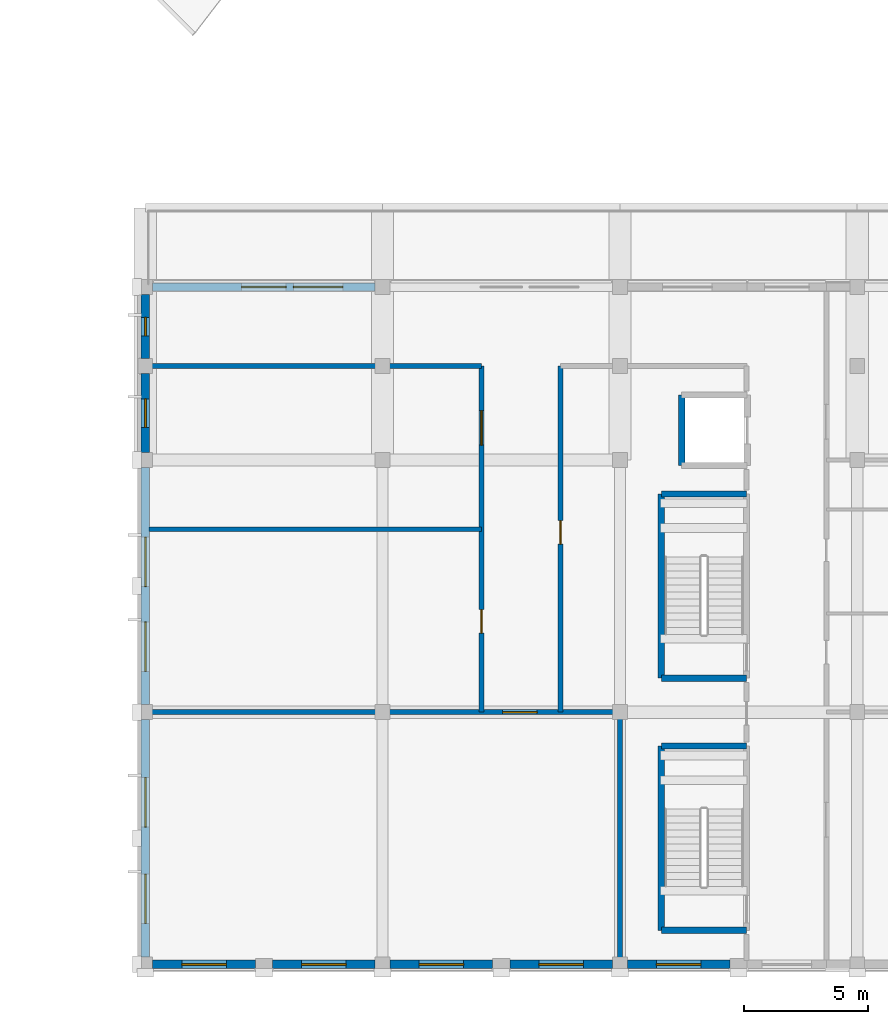
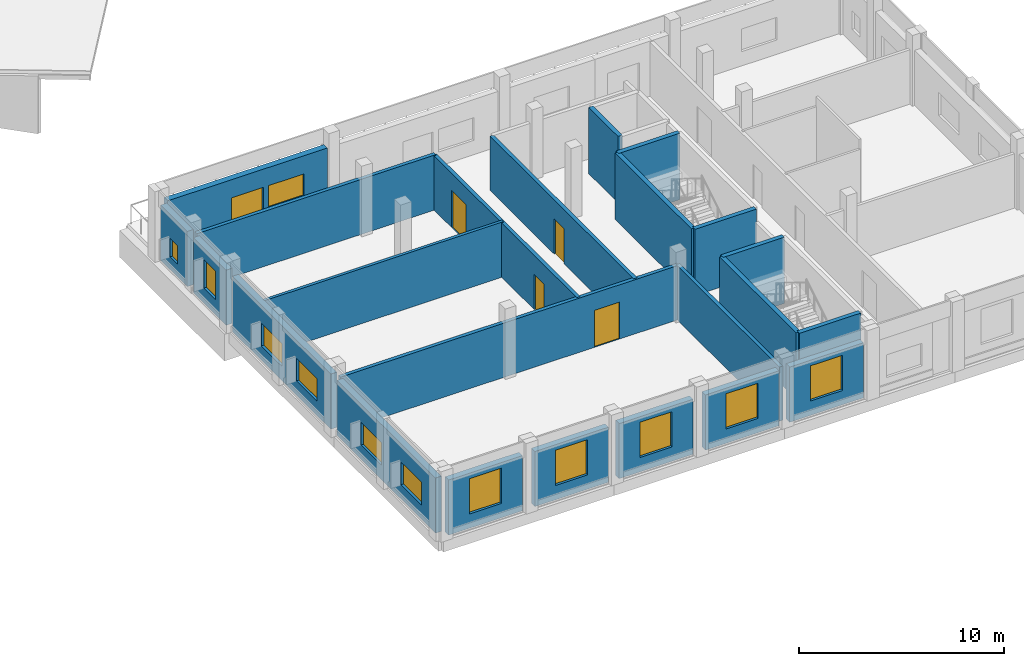
# One storey, part 184 of 200: 23 walls, 12 windows, 5 doors, 17 openings.
"""IFC4 building model written with IfcOpenShell, lengths in metres."""

from ifc_helpers import new_model, si_unit, direction, frame, frame_2d, origin, place, context, subcontext, project, spatial, rectangle, extrude, material, layer, layer_set, type_object, element, fill, save


model = new_model("IFC4")

# Units and contexts
model_context = context("Model", 3, precision=1e-05, world=origin(), true_north=direction((0.0, 1.0)))
body_context = subcontext(model_context, "Body", "Model", "MODEL_VIEW")
ifc_project = project(units=[si_unit("LENGTHUNIT", "METRE"), si_unit("AREAUNIT", "SQUARE_METRE"), si_unit("VOLUMEUNIT", "CUBIC_METRE"), si_unit("PLANEANGLEUNIT", "RADIAN"), si_unit("MASSUNIT", "GRAM", prefix="KILO")], contexts=[model_context])

# Site, building, storey
site_placement = place(None, origin())
site = spatial("IfcSite", under=ifc_project, at=site_placement, CompositionType="ELEMENT")
building_placement = place(site_placement, origin())
building = spatial("IfcBuilding", under=site, at=building_placement, Name="Vondelvale Polytechnic", CompositionType="ELEMENT")
storey_placement = place(building_placement, frame((0.0, 0.0, 13.800048828125)))
storey = spatial("IfcBuildingStorey", under=building, at=storey_placement, Name="L03", CompositionType="ELEMENT", Elevation=13.800048828125)

# Wall, opening, window
ifc_material_1 = material(Name="Amsterdam School iron-spot clinker clay brickwork", Category="masonry")
ifc_layer_1 = layer(ifc_material_1, 0.340087890625)
ifc_layer_set_1 = layer_set([ifc_layer_1], Name="WL-BRICK-340")
wall_type_1 = type_object("IfcWallType", Name="WL-BRICK-340", PredefinedType="SOLIDWALL", material=ifc_layer_set_1)
wall_1_placement = place(storey_placement, frame((138.84912109375, 0.0, 0.0), z_axis=(0.0, 0.0, 1.0), x_axis=(-1.0, 0.0, 0.0)))
wall_1 = element("IfcWall", 1, at=wall_1_placement, inside=storey, type_object=wall_type_1, Name="L03 exterior masonry facade wall", PredefinedType="SOLIDWALL", context=body_context, shape_type="SweptSolid", body=[
    extrude(rectangle(XDim=4.148193359375, YDim=0.340087890625, at=frame_2d((2.07421875, 0.0))), origin(), (0.0, 0.0, 1.0), 3.280029296875),
])
opening_1_placement = place(wall_1_placement, frame((1.174072265625, 0.0, 0.85009765625)))
opening_1 = element("IfcOpeningElement", 2, at=opening_1_placement, cuts=wall_1, Name="Opening WN-0392", PredefinedType="OPENING", context=body_context, shape_type="SweptSolid", body=[
    extrude(rectangle(XDim=1.800048828125, YDim=2.10009765625, at=frame_2d((0.89990234375, 1.050048828125))), frame((0.0, 0.179931640625, 0.0), z_axis=(0.0, -1.0, 0.0), x_axis=(1.0, 0.0, 0.0)), (0.0, 0.0, 1.0), 0.360107421875),
])
ifc_material_2 = material(Name="Double-glazed low-E insulated architectural glass", Category="glass")
window_type_1 = type_object("IfcWindowType", Name="WN-LAB-1800x2100", PartitioningType="SINGLE_PANEL", PredefinedType="WINDOW", material=ifc_material_2)
window_1_placement = place(opening_1_placement, origin())
window_1 = element("IfcWindow", 3, at=window_1_placement, inside=storey, type_object=window_type_1, Name="L03 double-glazed architectural window WN-0392", OverallHeight=2.10009765625, OverallWidth=1.800048828125, PartitioningType="SINGLE_PANEL", PredefinedType="WINDOW", context=body_context, shape_type="SweptSolid", body=[
    extrude(rectangle(XDim=1.800048828125, YDim=2.10009765625, at=frame_2d((0.89990234375, 1.050048828125))), frame((0.0, 0.030029296875, 0.0), z_axis=(0.0, -1.0, 0.0), x_axis=(1.0, 0.0, 0.0)), (0.0, 0.0, 1.0), 0.06005859375),
])
fill(opening_1, window_1)

wall_2_placement = place(storey_placement, frame((143.698974609375, 0.0, 0.0), z_axis=(0.0, 0.0, 1.0), x_axis=(-1.0, 0.0, 0.0)))
wall_2 = element("IfcWall", 4, at=wall_2_placement, inside=storey, type_object=wall_type_1, Name="L03 exterior masonry facade wall", PredefinedType="SOLIDWALL", context=body_context, shape_type="SweptSolid", body=[
    extrude(rectangle(XDim=4.14794921875, YDim=0.340087890625, at=frame_2d((2.073974609375, 0.0))), origin(), (0.0, 0.0, 1.0), 3.280029296875),
])
opening_2_placement = place(wall_2_placement, frame((1.174072265625, 0.0, 0.85009765625)))
opening_2 = element("IfcOpeningElement", 5, at=opening_2_placement, cuts=wall_2, Name="Opening WN-0393", PredefinedType="OPENING", context=body_context, shape_type="SweptSolid", body=[
    extrude(rectangle(XDim=1.800048828125, YDim=2.10009765625, at=frame_2d((0.89990234375, 1.050048828125))), frame((0.0, 0.179931640625, 0.0), z_axis=(0.0, -1.0, 0.0), x_axis=(1.0, 0.0, 0.0)), (0.0, 0.0, 1.0), 0.360107421875),
])
window_2_placement = place(opening_2_placement, origin())
window_2 = element("IfcWindow", 6, at=window_2_placement, inside=storey, type_object=window_type_1, Name="L03 double-glazed architectural window WN-0393", OverallHeight=2.10009765625, OverallWidth=1.800048828125, PartitioningType="SINGLE_PANEL", PredefinedType="WINDOW", context=body_context, shape_type="SweptSolid", body=[
    extrude(rectangle(XDim=1.800048828125, YDim=2.10009765625, at=frame_2d((0.89990234375, 1.050048828125))), frame((0.0, 0.030029296875, 0.0), z_axis=(0.0, -1.0, 0.0), x_axis=(1.0, 0.0, 0.0)), (0.0, 0.0, 1.0), 0.06005859375),
])
fill(opening_2, window_2)

wall_3_placement = place(storey_placement, frame((148.448974609375, 0.0, 0.0), z_axis=(0.0, 0.0, 1.0), x_axis=(-1.0, 0.0, 0.0)))
wall_3 = element("IfcWall", 7, at=wall_3_placement, inside=storey, type_object=wall_type_1, Name="L03 exterior masonry facade wall", PredefinedType="SOLIDWALL", context=body_context, shape_type="SweptSolid", body=[
    extrude(rectangle(XDim=4.14794921875, YDim=0.340087890625, at=frame_2d((2.073974609375, 0.0))), origin(), (0.0, 0.0, 1.0), 3.280029296875),
])
opening_3_placement = place(wall_3_placement, frame((1.174072265625, 0.0, 0.85009765625)))
opening_3 = element("IfcOpeningElement", 8, at=opening_3_placement, cuts=wall_3, Name="Opening WN-0394", PredefinedType="OPENING", context=body_context, shape_type="SweptSolid", body=[
    extrude(rectangle(XDim=1.800048828125, YDim=2.10009765625, at=frame_2d((0.89990234375, 1.050048828125))), frame((0.0, 0.179931640625, 0.0), z_axis=(0.0, -1.0, 0.0), x_axis=(1.0, 0.0, 0.0)), (0.0, 0.0, 1.0), 0.360107421875),
])
window_3_placement = place(opening_3_placement, origin())
window_3 = element("IfcWindow", 9, at=window_3_placement, inside=storey, type_object=window_type_1, Name="L03 double-glazed architectural window WN-0394", OverallHeight=2.10009765625, OverallWidth=1.800048828125, PartitioningType="SINGLE_PANEL", PredefinedType="WINDOW", context=body_context, shape_type="SweptSolid", body=[
    extrude(rectangle(XDim=1.800048828125, YDim=2.10009765625, at=frame_2d((0.89990234375, 1.050048828125))), frame((0.0, 0.030029296875, 0.0), z_axis=(0.0, -1.0, 0.0), x_axis=(1.0, 0.0, 0.0)), (0.0, 0.0, 1.0), 0.06005859375),
])
fill(opening_3, window_3)

wall_4_placement = place(storey_placement, frame((153.299072265625, 0.0, 0.0), z_axis=(0.0, 0.0, 1.0), x_axis=(-1.0, 0.0, 0.0)))
wall_4 = element("IfcWall", 10, at=wall_4_placement, inside=storey, type_object=wall_type_1, Name="L03 exterior masonry facade wall", PredefinedType="SOLIDWALL", context=body_context, shape_type="SweptSolid", body=[
    extrude(rectangle(XDim=4.148193359375, YDim=0.340087890625, at=frame_2d((2.07421875, 0.0))), origin(), (0.0, 0.0, 1.0), 3.280029296875),
])
opening_4_placement = place(wall_4_placement, frame((1.174072265625, 0.0, 0.85009765625)))
opening_4 = element("IfcOpeningElement", 11, at=opening_4_placement, cuts=wall_4, Name="Opening WN-0395", PredefinedType="OPENING", context=body_context, shape_type="SweptSolid", body=[
    extrude(rectangle(XDim=1.800048828125, YDim=2.10009765625, at=frame_2d((0.89990234375, 1.050048828125))), frame((0.0, 0.179931640625, 0.0), z_axis=(0.0, -1.0, 0.0), x_axis=(1.0, 0.0, 0.0)), (0.0, 0.0, 1.0), 0.360107421875),
])
window_4_placement = place(opening_4_placement, origin())
window_4 = element("IfcWindow", 12, at=window_4_placement, inside=storey, type_object=window_type_1, Name="L03 double-glazed architectural window WN-0395", OverallHeight=2.10009765625, OverallWidth=1.800048828125, PartitioningType="SINGLE_PANEL", PredefinedType="WINDOW", context=body_context, shape_type="SweptSolid", body=[
    extrude(rectangle(XDim=1.800048828125, YDim=2.10009765625, at=frame_2d((0.89990234375, 1.050048828125))), frame((0.0, 0.030029296875, 0.0), z_axis=(0.0, -1.0, 0.0), x_axis=(1.0, 0.0, 0.0)), (0.0, 0.0, 1.0), 0.06005859375),
])
fill(opening_4, window_4)

wall_5_placement = place(storey_placement, frame((158.049072265625, 0.0, 0.0), z_axis=(0.0, 0.0, 1.0), x_axis=(-1.0, 0.0, 0.0)))
wall_5 = element("IfcWall", 13, at=wall_5_placement, inside=storey, type_object=wall_type_1, Name="L03 exterior masonry facade wall", PredefinedType="SOLIDWALL", context=body_context, shape_type="SweptSolid", body=[
    extrude(rectangle(XDim=4.148193359375, YDim=0.340087890625, at=frame_2d((2.07421875, 0.0))), origin(), (0.0, 0.0, 1.0), 3.280029296875),
])
opening_5_placement = place(wall_5_placement, frame((1.174072265625, 0.0, 0.85009765625)))
opening_5 = element("IfcOpeningElement", 14, at=opening_5_placement, cuts=wall_5, Name="Opening WN-0396", PredefinedType="OPENING", context=body_context, shape_type="SweptSolid", body=[
    extrude(rectangle(XDim=1.800048828125, YDim=2.10009765625, at=frame_2d((0.89990234375, 1.050048828125))), frame((0.0, 0.179931640625, 0.0), z_axis=(0.0, -1.0, 0.0), x_axis=(1.0, 0.0, 0.0)), (0.0, 0.0, 1.0), 0.360107421875),
])
window_5_placement = place(opening_5_placement, origin())
window_5 = element("IfcWindow", 15, at=window_5_placement, inside=storey, type_object=window_type_1, Name="L03 double-glazed architectural window WN-0396", OverallHeight=2.10009765625, OverallWidth=1.800048828125, PartitioningType="SINGLE_PANEL", PredefinedType="WINDOW", context=body_context, shape_type="SweptSolid", body=[
    extrude(rectangle(XDim=1.800048828125, YDim=2.10009765625, at=frame_2d((0.89990234375, 1.050048828125))), frame((0.0, 0.030029296875, 0.0), z_axis=(0.0, -1.0, 0.0), x_axis=(1.0, 0.0, 0.0)), (0.0, 0.0, 1.0), 0.06005859375),
])
fill(opening_5, window_5)

# Wall, openings, windows
wall_6_placement = place(storey_placement, frame((134.39990234375, 0.301025390625, 0.0), z_axis=(0.0, 0.0, 1.0), x_axis=(0.0, 1.0, 0.0)))
wall_6 = element("IfcWall", 16, at=wall_6_placement, inside=storey, type_object=wall_type_1, Name="L03 exterior masonry facade wall", PredefinedType="SOLIDWALL", context=body_context, shape_type="SweptSolid", body=[
    extrude(rectangle(XDim=9.597900390625, YDim=0.340087890625, at=frame_2d((4.798828125, 0.0))), origin(), (0.0, 0.0, 1.0), 3.280029296875),
])
opening_6_placement = place(wall_6_placement, frame((1.35009765625, 0.0, 0.85009765625)))
opening_6 = element("IfcOpeningElement", 17, at=opening_6_placement, cuts=wall_6, Name="Opening WN-0400", PredefinedType="OPENING", context=body_context, shape_type="SweptSolid", body=[
    extrude(rectangle(XDim=2.0, YDim=1.35009765625, at=frame_2d((1.0, 0.675048828125))), frame((0.0, 0.179931640625, 0.0), z_axis=(0.0, -1.0, 0.0), x_axis=(1.0, 0.0, 0.0)), (0.0, 0.0, 1.0), 0.360107421875),
])
opening_7_placement = place(wall_6_placement, frame((5.25, 0.0, 0.85009765625)))
opening_7 = element("IfcOpeningElement", 18, at=opening_7_placement, cuts=wall_6, Name="Opening WN-0401", PredefinedType="OPENING", context=body_context, shape_type="SweptSolid", body=[
    extrude(rectangle(XDim=2.0, YDim=1.35009765625, at=frame_2d((1.0, 0.675048828125))), frame((0.0, 0.179931640625, 0.0), z_axis=(0.0, -1.0, 0.0), x_axis=(1.0, 0.0, 0.0)), (0.0, 0.0, 1.0), 0.360107421875),
])
window_type_2 = type_object("IfcWindowType", Name="WN-RIB-2000x1350", PartitioningType="SINGLE_PANEL", PredefinedType="WINDOW", material=ifc_material_2)
window_6_placement = place(opening_6_placement, origin())
window_6 = element("IfcWindow", 19, at=window_6_placement, inside=storey, type_object=window_type_2, Name="L03 double-glazed architectural window WN-0400", OverallHeight=1.35009765625, OverallWidth=2.0, PartitioningType="SINGLE_PANEL", PredefinedType="WINDOW", context=body_context, shape_type="SweptSolid", body=[
    extrude(rectangle(XDim=2.0, YDim=1.35009765625, at=frame_2d((1.0, 0.675048828125))), frame((0.0, 0.030029296875, 0.0), z_axis=(0.0, -1.0, 0.0), x_axis=(1.0, 0.0, 0.0)), (0.0, 0.0, 1.0), 0.06005859375),
])
fill(opening_6, window_6)
window_7_placement = place(opening_7_placement, origin())
window_7 = element("IfcWindow", 20, at=window_7_placement, inside=storey, type_object=window_type_2, Name="L03 double-glazed architectural window WN-0401", OverallHeight=1.35009765625, OverallWidth=2.0, PartitioningType="SINGLE_PANEL", PredefinedType="WINDOW", context=body_context, shape_type="SweptSolid", body=[
    extrude(rectangle(XDim=2.0, YDim=1.35009765625, at=frame_2d((1.0, 0.675048828125))), frame((0.0, 0.030029296875, 0.0), z_axis=(0.0, -1.0, 0.0), x_axis=(1.0, 0.0, 0.0)), (0.0, 0.0, 1.0), 0.06005859375),
])
fill(opening_7, window_7)

wall_7_placement = place(storey_placement, frame((134.39990234375, 10.5009765625, 0.0), z_axis=(0.0, 0.0, 1.0), x_axis=(0.0, 1.0, 0.0)))
wall_7 = element("IfcWall", 21, at=wall_7_placement, inside=storey, type_object=wall_type_1, Name="L03 exterior masonry facade wall", PredefinedType="SOLIDWALL", context=body_context, shape_type="SweptSolid", body=[
    extrude(rectangle(XDim=9.59814453125, YDim=0.340087890625, at=frame_2d((4.799072265625, 0.0))), origin(), (0.0, 0.0, 1.0), 3.280029296875),
])
opening_8_placement = place(wall_7_placement, frame((1.35009765625, 0.0, 0.85009765625)))
opening_8 = element("IfcOpeningElement", 22, at=opening_8_placement, cuts=wall_7, Name="Opening WN-0402", PredefinedType="OPENING", context=body_context, shape_type="SweptSolid", body=[
    extrude(rectangle(XDim=2.0, YDim=1.35009765625, at=frame_2d((1.0, 0.675048828125))), frame((0.0, 0.179931640625, 0.0), z_axis=(0.0, -1.0, 0.0), x_axis=(1.0, 0.0, 0.0)), (0.0, 0.0, 1.0), 0.360107421875),
])
opening_9_placement = place(wall_7_placement, frame((4.779052734375, 0.0, 0.85009765625)))
opening_9 = element("IfcOpeningElement", 23, at=opening_9_placement, cuts=wall_7, Name="Opening WN-0403", PredefinedType="OPENING", context=body_context, shape_type="SweptSolid", body=[
    extrude(rectangle(XDim=2.0, YDim=1.35009765625, at=frame_2d((1.0, 0.675048828125))), frame((0.0, 0.179931640625, 0.0), z_axis=(0.0, -1.0, 0.0), x_axis=(1.0, 0.0, 0.0)), (0.0, 0.0, 1.0), 0.360107421875),
])
window_8_placement = place(opening_8_placement, origin())
window_8 = element("IfcWindow", 24, at=window_8_placement, inside=storey, type_object=window_type_2, Name="L03 double-glazed architectural window WN-0402", OverallHeight=1.35009765625, OverallWidth=2.0, PartitioningType="SINGLE_PANEL", PredefinedType="WINDOW", context=body_context, shape_type="SweptSolid", body=[
    extrude(rectangle(XDim=2.0, YDim=1.35009765625, at=frame_2d((1.0, 0.675048828125))), frame((0.0, 0.030029296875, 0.0), z_axis=(0.0, -1.0, 0.0), x_axis=(1.0, 0.0, 0.0)), (0.0, 0.0, 1.0), 0.06005859375),
])
fill(opening_8, window_8)
window_9_placement = place(opening_9_placement, origin())
window_9 = element("IfcWindow", 25, at=window_9_placement, inside=storey, type_object=window_type_2, Name="L03 double-glazed architectural window WN-0403", OverallHeight=1.35009765625, OverallWidth=2.0, PartitioningType="SINGLE_PANEL", PredefinedType="WINDOW", context=body_context, shape_type="SweptSolid", body=[
    extrude(rectangle(XDim=2.0, YDim=1.35009765625, at=frame_2d((1.0, 0.675048828125))), frame((0.0, 0.030029296875, 0.0), z_axis=(0.0, -1.0, 0.0), x_axis=(1.0, 0.0, 0.0)), (0.0, 0.0, 1.0), 0.06005859375),
])
fill(opening_9, window_9)

# Wall, opening, window
wall_8_placement = place(storey_placement, frame((134.39990234375, 20.700927734375, 0.0), z_axis=(0.0, 0.0, 1.0), x_axis=(0.0, 1.0, 0.0)))
wall_8 = element("IfcWall", 26, at=wall_8_placement, inside=storey, type_object=wall_type_1, Name="L03 exterior masonry facade wall", PredefinedType="SOLIDWALL", context=body_context, shape_type="SweptSolid", body=[
    extrude(rectangle(XDim=3.197998046875, YDim=0.340087890625, at=frame_2d((1.59912109375, 0.0))), origin(), (0.0, 0.0, 1.0), 3.280029296875),
])
opening_10_placement = place(wall_8_placement, frame((1.02392578125, 0.0, 0.89990234375)))
opening_10 = element("IfcOpeningElement", 27, at=opening_10_placement, cuts=wall_8, Name="Opening WN-0404", PredefinedType="OPENING", context=body_context, shape_type="SweptSolid", body=[
    extrude(rectangle(XDim=1.14990234375, YDim=1.699951171875, at=frame_2d((0.574951171875, 0.85009765625))), frame((0.0, 0.179931640625, 0.0), z_axis=(0.0, -1.0, 0.0), x_axis=(1.0, 0.0, 0.0)), (0.0, 0.0, 1.0), 0.360107421875),
])
window_type_3 = type_object("IfcWindowType", Name="WN-OFF-1150x1700", PartitioningType="SINGLE_PANEL", PredefinedType="WINDOW", material=ifc_material_2)
window_10_placement = place(opening_10_placement, origin())
window_10 = element("IfcWindow", 28, at=window_10_placement, inside=storey, type_object=window_type_3, Name="L03 double-glazed architectural window WN-0404", OverallHeight=1.699951171875, OverallWidth=1.14990234375, PartitioningType="SINGLE_PANEL", PredefinedType="WINDOW", context=body_context, shape_type="SweptSolid", body=[
    extrude(rectangle(XDim=1.14990234375, YDim=1.699951171875, at=frame_2d((0.574951171875, 0.85009765625))), frame((0.0, 0.030029296875, 0.0), z_axis=(0.0, -1.0, 0.0), x_axis=(1.0, 0.0, 0.0)), (0.0, 0.0, 1.0), 0.06005859375),
])
fill(opening_10, window_10)

wall_9_placement = place(storey_placement, frame((134.39990234375, 24.5009765625, 0.0), z_axis=(0.0, 0.0, 1.0), x_axis=(0.0, 1.0, 0.0)))
wall_9 = element("IfcWall", 29, at=wall_9_placement, inside=storey, type_object=wall_type_1, Name="L03 exterior masonry facade wall", PredefinedType="SOLIDWALL", context=body_context, shape_type="SweptSolid", body=[
    extrude(rectangle(XDim=2.59814453125, YDim=0.340087890625, at=frame_2d((1.299072265625, 0.0))), origin(), (0.0, 0.0, 1.0), 3.280029296875),
])
opening_11_placement = place(wall_9_placement, frame((0.924072265625, 0.0, 0.75)))
opening_11 = element("IfcOpeningElement", 30, at=opening_11_placement, cuts=wall_9, Name="Opening WN-0405", PredefinedType="OPENING", context=body_context, shape_type="SweptSolid", body=[
    extrude(rectangle(XDim=0.75, YDim=1.10009765625, at=frame_2d((0.375, 0.550048828125))), frame((0.0, 0.179931640625, 0.0), z_axis=(0.0, -1.0, 0.0), x_axis=(1.0, 0.0, 0.0)), (0.0, 0.0, 1.0), 0.360107421875),
])
window_type_4 = type_object("IfcWindowType", Name="WN-WC-0750x1100", PartitioningType="SINGLE_PANEL", PredefinedType="WINDOW", material=ifc_material_2)
window_11_placement = place(opening_11_placement, origin())
window_11 = element("IfcWindow", 31, at=window_11_placement, inside=storey, type_object=window_type_4, Name="L03 double-glazed architectural window WN-0405", OverallHeight=1.10009765625, OverallWidth=0.75, PartitioningType="SINGLE_PANEL", PredefinedType="WINDOW", context=body_context, shape_type="SweptSolid", body=[
    extrude(rectangle(XDim=0.75, YDim=1.10009765625, at=frame_2d((0.375, 0.550048828125))), frame((0.0, 0.030029296875, 0.0), z_axis=(0.0, -1.0, 0.0), x_axis=(1.0, 0.0, 0.0)), (0.0, 0.0, 1.0), 0.06005859375),
])
fill(opening_11, window_11)

# Wall, openings, door, window
wall_10_placement = place(storey_placement, frame((134.700927734375, 27.39990234375, 0.0), z_axis=(0.0, 0.0, 1.0), x_axis=(1.0, 0.0, 0.0)))
wall_10 = element("IfcWall", 32, at=wall_10_placement, inside=storey, type_object=wall_type_1, Name="L03 exterior masonry facade wall", PredefinedType="SOLIDWALL", context=body_context, shape_type="SweptSolid", body=[
    extrude(rectangle(XDim=8.998046875, YDim=0.340087890625, at=frame_2d((4.4990234375, 0.0))), origin(), (0.0, 0.0, 1.0), 3.280029296875),
])
opening_12_placement = place(wall_10_placement, frame((3.59912109375, 0.0, 0.0)))
opening_12 = element("IfcOpeningElement", 33, at=opening_12_placement, cuts=wall_10, Name="Opening ED-022", PredefinedType="OPENING", context=body_context, shape_type="SweptSolid", body=[
    extrude(rectangle(XDim=1.800048828125, YDim=2.199951171875, at=frame_2d((0.89990234375, 1.10009765625))), frame((0.0, 0.179931640625, 0.0), z_axis=(0.0, -1.0, 0.0), x_axis=(1.0, 0.0, 0.0)), (0.0, 0.0, 1.0), 0.360107421875),
])
opening_13_placement = place(wall_10_placement, frame((5.68896484375, 0.0, 0.85009765625)))
opening_13 = element("IfcOpeningElement", 34, at=opening_13_placement, cuts=wall_10, Name="Opening WN-0412", PredefinedType="OPENING", context=body_context, shape_type="SweptSolid", body=[
    extrude(rectangle(XDim=2.0, YDim=1.35009765625, at=frame_2d((1.0, 0.675048828125))), frame((0.0, 0.179931640625, 0.0), z_axis=(0.0, -1.0, 0.0), x_axis=(1.0, 0.0, 0.0)), (0.0, 0.0, 1.0), 0.360107421875),
])
ifc_material_3 = material(Name="Anodised extruded aluminium 6063-T6", Category="aluminium")
door_type_1 = type_object("IfcDoorType", Name="DR-TER-1800x2200", OperationType="DOUBLE_DOOR_SINGLE_SWING", PredefinedType="DOOR", material=ifc_material_3)
door_1_placement = place(opening_12_placement, origin())
door_1 = element("IfcDoor", 35, at=door_1_placement, inside=storey, type_object=door_type_1, Name="L03 exterior entrance/exit door ED-022", OperationType="DOUBLE_DOOR_SINGLE_SWING", OverallHeight=2.199951171875, OverallWidth=1.800048828125, PredefinedType="DOOR", context=body_context, shape_type="SweptSolid", body=[
    extrude(rectangle(XDim=1.800048828125, YDim=2.199951171875, at=frame_2d((0.89990234375, 1.10009765625))), frame((0.0, 0.02490234375, 0.0), z_axis=(0.0, -1.0, 0.0), x_axis=(1.0, 0.0, 0.0)), (0.0, 0.0, 1.0), 0.050048828125),
])
fill(opening_12, door_1)
window_12_placement = place(opening_13_placement, origin())
window_12 = element("IfcWindow", 36, at=window_12_placement, inside=storey, type_object=window_type_2, Name="L03 double-glazed architectural window WN-0412", OverallHeight=1.35009765625, OverallWidth=2.0, PartitioningType="SINGLE_PANEL", PredefinedType="WINDOW", context=body_context, shape_type="SweptSolid", body=[
    extrude(rectangle(XDim=2.0, YDim=1.35009765625, at=frame_2d((1.0, 0.675048828125))), frame((0.0, 0.030029296875, 0.0), z_axis=(0.0, -1.0, 0.0), x_axis=(1.0, 0.0, 0.0)), (0.0, 0.0, 1.0), 0.06005859375),
])
fill(opening_13, window_12)

# Walls
ifc_material_4 = material(Name="Concrete N40 (f'c = 40 MPa)", Category="concrete")
ifc_layer_2 = layer(ifc_material_4, 0.25)
ifc_layer_set_2 = layer_set([ifc_layer_2], Name="WL-CORE-250")
wall_type_2 = type_object("IfcWallType", Name="WL-CORE-250", PredefinedType="SOLIDWALL", material=ifc_layer_set_2)
wall_11_placement = place(storey_placement, frame((158.72509765625, 8.824951171875, 0.0), z_axis=(0.0, 0.0, 1.0), x_axis=(-1.0, 0.0, 0.0)))
element("IfcWall", 37, at=wall_11_placement, inside=storey, type_object=wall_type_2, Name="L03 ST-06 reinforced concrete stair core wall", PredefinedType="SOLIDWALL", context=body_context, shape_type="SweptSolid", body=[
    extrude(rectangle(XDim=3.4501953125, YDim=0.25, at=frame_2d((1.72509765625, 0.0))), origin(), (0.0, 0.0, 1.0), 3.949951171875),
])
wall_12_placement = place(storey_placement, frame((155.27490234375, 8.824951171875, 0.0), z_axis=(0.0, 0.0, 1.0), x_axis=(0.0, -1.0, 0.0)))
element("IfcWall", 38, at=wall_12_placement, inside=storey, type_object=wall_type_2, Name="L03 ST-06 reinforced concrete stair core wall", PredefinedType="SOLIDWALL", context=body_context, shape_type="SweptSolid", body=[
    extrude(rectangle(XDim=7.449951171875, YDim=0.25, at=frame_2d((3.72509765625, 0.0))), origin(), (0.0, 0.0, 1.0), 3.949951171875),
])
for number, where, z_axis, x_axis, name in (
    (39, (155.27490234375, 1.375, 0.0), (0.0, 0.0, 1.0), (1.0, 0.0, 0.0), "L03 ST-06 reinforced concrete stair core wall"),
    (40, (158.72509765625, 19.02490234375, 0.0), (0.0, 0.0, 1.0), (-1.0, 0.0, 0.0), "L03 ST-07 reinforced concrete stair core wall"),
):
    element("IfcWall", number, at=place(storey_placement, frame(where, z_axis=z_axis, x_axis=x_axis)), inside=storey, type_object=wall_type_2, Name=name, PredefinedType="SOLIDWALL", context=body_context, shape_type="SweptSolid", body=[
        extrude(rectangle(XDim=3.4501953125, YDim=0.25, at=frame_2d((1.72509765625, 0.0))), origin(), (0.0, 0.0, 1.0), 3.949951171875),
    ])
wall_13_placement = place(storey_placement, frame((155.27490234375, 19.02490234375, 0.0), z_axis=(0.0, 0.0, 1.0), x_axis=(0.0, -1.0, 0.0)))
element("IfcWall", 41, at=wall_13_placement, inside=storey, type_object=wall_type_2, Name="L03 ST-07 reinforced concrete stair core wall", PredefinedType="SOLIDWALL", context=body_context, shape_type="SweptSolid", body=[
    extrude(rectangle(XDim=7.449951171875, YDim=0.25, at=frame_2d((3.72509765625, 0.0))), origin(), (0.0, 0.0, 1.0), 3.949951171875),
])
wall_14_placement = place(storey_placement, frame((155.27490234375, 11.574951171875, 0.0), z_axis=(0.0, 0.0, 1.0), x_axis=(1.0, 0.0, 0.0)))
element("IfcWall", 42, at=wall_14_placement, inside=storey, type_object=wall_type_2, Name="L03 ST-07 reinforced concrete stair core wall", PredefinedType="SOLIDWALL", context=body_context, shape_type="SweptSolid", body=[
    extrude(rectangle(XDim=3.4501953125, YDim=0.25, at=frame_2d((1.72509765625, 0.0))), origin(), (0.0, 0.0, 1.0), 3.949951171875),
])

# Wall, opening, door
ifc_material_5 = material(Name="Fire-rated double-layer plasterboard stud partition")
ifc_layer_3 = layer(ifc_material_5, 0.199951171875)
ifc_layer_set_3 = layer_set([ifc_layer_3], Name="WL-CORR-200")
wall_type_3 = type_object("IfcWallType", Name="WL-CORR-200", PredefinedType="PARTITIONING", material=ifc_layer_set_3)
wall_15_placement = place(storey_placement, frame((134.550048828125, 10.199951171875, 0.0), z_axis=(0.0, 0.0, 1.0), x_axis=(1.0, 0.0, 0.0)))
wall_15 = element("IfcWall", 43, at=wall_15_placement, inside=storey, type_object=wall_type_3, Name="L03 interior acoustic partition", PredefinedType="PARTITIONING", context=body_context, shape_type="SweptSolid", body=[
    extrude(rectangle(XDim=19.050048828125, YDim=0.199951171875, at=frame_2d((9.52490234375, 0.0))), origin(), (0.0, 0.0, 1.0), 3.22998046875),
])
opening_14_placement = place(wall_15_placement, frame((14.300048828125, 0.0, 0.0)))
opening_14 = element("IfcOpeningElement", 44, at=opening_14_placement, cuts=wall_15, Name="Opening ID-0254", PredefinedType="OPENING", context=body_context, shape_type="SweptSolid", body=[
    extrude(rectangle(XDim=1.39990234375, YDim=2.199951171875, at=frame_2d((0.699951171875, 1.10009765625))), frame((0.0, 0.10986328125, 0.0), z_axis=(0.0, -1.0, 0.0), x_axis=(1.0, 0.0, 0.0)), (0.0, 0.0, 1.0), 0.219970703125),
])
ifc_material_6 = material(Name="Fire-rated solid Tasmanian oak joinery")
door_type_2 = type_object("IfcDoorType", Name="DR-LAB-1400x2200", OperationType="DOUBLE_DOOR_SINGLE_SWING", PredefinedType="DOOR", material=ifc_material_6)
door_2_placement = place(opening_14_placement, origin())
door_2 = element("IfcDoor", 45, at=door_2_placement, inside=storey, type_object=door_type_2, Name="L03 interior room door ID-0254", OperationType="DOUBLE_DOOR_SINGLE_SWING", OverallHeight=2.199951171875, OverallWidth=1.39990234375, PredefinedType="DOOR", context=body_context, shape_type="SweptSolid", body=[
    extrude(rectangle(XDim=1.39990234375, YDim=2.199951171875, at=frame_2d((0.699951171875, 1.10009765625))), frame((0.0, 0.02490234375, 0.0), z_axis=(0.0, -1.0, 0.0), x_axis=(1.0, 0.0, 0.0)), (0.0, 0.0, 1.0), 0.050048828125),
])
fill(opening_14, door_2)

# Wall
wall_16_placement = place(storey_placement, frame((153.60009765625, 0.14990234375, 0.0), z_axis=(0.0, 0.0, 1.0), x_axis=(0.0, 1.0, 0.0)))
element("IfcWall", 46, at=wall_16_placement, inside=storey, type_object=wall_type_3, Name="L03 interior acoustic partition", PredefinedType="PARTITIONING", context=body_context, shape_type="SweptSolid", body=[
    extrude(rectangle(XDim=10.050048828125, YDim=0.199951171875, at=frame_2d((5.02490234375, 0.0))), origin(), (0.0, 0.0, 1.0), 3.22998046875),
])

# Wall, openings, doors
wall_17_placement = place(storey_placement, frame((148.0, 10.199951171875, 0.0), z_axis=(0.0, 0.0, 1.0), x_axis=(0.0, 1.0, 0.0)))
wall_17 = element("IfcWall", 47, at=wall_17_placement, inside=storey, type_object=wall_type_3, Name="L03 interior acoustic partition", PredefinedType="PARTITIONING", context=body_context, shape_type="SweptSolid", body=[
    extrude(rectangle(XDim=14.0, YDim=0.199951171875, at=frame_2d((7.0, 0.0))), origin(), (0.0, 0.0, 1.0), 3.22998046875),
])
opening_15_placement = place(wall_17_placement, frame((3.199951171875, 0.0, 0.0)))
opening_15 = element("IfcOpeningElement", 48, at=opening_15_placement, cuts=wall_17, Name="Opening ID-0255", PredefinedType="OPENING", context=body_context, shape_type="SweptSolid", body=[
    extrude(rectangle(XDim=0.949951171875, YDim=2.10009765625, at=frame_2d((0.47509765625, 1.050048828125))), frame((0.0, 0.10986328125, 0.0), z_axis=(0.0, -1.0, 0.0), x_axis=(1.0, 0.0, 0.0)), (0.0, 0.0, 1.0), 0.219970703125),
])
opening_16_placement = place(wall_17_placement, frame((10.800048828125, 0.0, 0.0)))
opening_16 = element("IfcOpeningElement", 49, at=opening_16_placement, cuts=wall_17, Name="Opening ID-0256", PredefinedType="OPENING", context=body_context, shape_type="SweptSolid", body=[
    extrude(rectangle(XDim=1.39990234375, YDim=2.199951171875, at=frame_2d((0.699951171875, 1.10009765625))), frame((0.0, 0.10986328125, 0.0), z_axis=(0.0, -1.0, 0.0), x_axis=(1.0, 0.0, 0.0)), (0.0, 0.0, 1.0), 0.219970703125),
])
door_type_3 = type_object("IfcDoorType", Name="DR-INT-0950x2100", OperationType="SINGLE_SWING_LEFT", PredefinedType="DOOR", material=ifc_material_6)
door_3_placement = place(opening_15_placement, origin())
door_3 = element("IfcDoor", 50, at=door_3_placement, inside=storey, type_object=door_type_3, Name="L03 interior room door ID-0255", OperationType="SINGLE_SWING_LEFT", OverallHeight=2.10009765625, OverallWidth=0.949951171875, PredefinedType="DOOR", context=body_context, shape_type="SweptSolid", body=[
    extrude(rectangle(XDim=0.949951171875, YDim=2.10009765625, at=frame_2d((0.47509765625, 1.050048828125))), frame((0.0, 0.02490234375, 0.0), z_axis=(0.0, -1.0, 0.0), x_axis=(1.0, 0.0, 0.0)), (0.0, 0.0, 1.0), 0.050048828125),
])
fill(opening_15, door_3)
door_4_placement = place(opening_16_placement, origin())
door_4 = element("IfcDoor", 51, at=door_4_placement, inside=storey, type_object=door_type_2, Name="L03 interior room door ID-0256", OperationType="DOUBLE_DOOR_SINGLE_SWING", OverallHeight=2.199951171875, OverallWidth=1.39990234375, PredefinedType="DOOR", context=body_context, shape_type="SweptSolid", body=[
    extrude(rectangle(XDim=1.39990234375, YDim=2.199951171875, at=frame_2d((0.699951171875, 1.10009765625))), frame((0.0, 0.02490234375, 0.0), z_axis=(0.0, -1.0, 0.0), x_axis=(1.0, 0.0, 0.0)), (0.0, 0.0, 1.0), 0.050048828125),
])
fill(opening_16, door_4)

# Wall, opening, door
wall_18_placement = place(storey_placement, frame((151.199951171875, 10.199951171875, 0.0), z_axis=(0.0, 0.0, 1.0), x_axis=(0.0, 1.0, 0.0)))
wall_18 = element("IfcWall", 52, at=wall_18_placement, inside=storey, type_object=wall_type_3, Name="L03 interior acoustic partition", PredefinedType="PARTITIONING", context=body_context, shape_type="SweptSolid", body=[
    extrude(rectangle(XDim=14.0, YDim=0.199951171875, at=frame_2d((7.0, 0.0))), origin(), (0.0, 0.0, 1.0), 3.22998046875),
])
opening_17_placement = place(wall_18_placement, frame((6.800048828125, 0.0, 0.0)))
opening_17 = element("IfcOpeningElement", 53, at=opening_17_placement, cuts=wall_18, Name="Opening ID-0257", PredefinedType="OPENING", context=body_context, shape_type="SweptSolid", body=[
    extrude(rectangle(XDim=0.949951171875, YDim=2.10009765625, at=frame_2d((0.47509765625, 1.050048828125))), frame((0.0, 0.10986328125, 0.0), z_axis=(0.0, -1.0, 0.0), x_axis=(1.0, 0.0, 0.0)), (0.0, 0.0, 1.0), 0.219970703125),
])
door_5_placement = place(opening_17_placement, origin())
door_5 = element("IfcDoor", 54, at=door_5_placement, inside=storey, type_object=door_type_3, Name="L03 interior room door ID-0257", OperationType="SINGLE_SWING_LEFT", OverallHeight=2.10009765625, OverallWidth=0.949951171875, PredefinedType="DOOR", context=body_context, shape_type="SweptSolid", body=[
    extrude(rectangle(XDim=0.949951171875, YDim=2.10009765625, at=frame_2d((0.47509765625, 1.050048828125))), frame((0.0, 0.02490234375, 0.0), z_axis=(0.0, -1.0, 0.0), x_axis=(1.0, 0.0, 0.0)), (0.0, 0.0, 1.0), 0.050048828125),
])
fill(opening_17, door_5)

# Walls
wall_19_placement = place(storey_placement, frame((134.550048828125, 24.199951171875, 0.0), z_axis=(0.0, 0.0, 1.0), x_axis=(1.0, 0.0, 0.0)))
element("IfcWall", 55, at=wall_19_placement, inside=storey, type_object=wall_type_3, Name="L03 interior acoustic partition", PredefinedType="PARTITIONING", context=body_context, shape_type="SweptSolid", body=[
    extrude(rectangle(XDim=13.449951171875, YDim=0.199951171875, at=frame_2d((6.72509765625, 0.0))), origin(), (0.0, 0.0, 1.0), 3.280029296875),
])
ifc_layer_4 = layer(ifc_material_5, 0.1650390625)
ifc_layer_set_4 = layer_set([ifc_layer_4], Name="WL-INT-165")
wall_type_4 = type_object("IfcWallType", Name="WL-INT-165", PredefinedType="PARTITIONING", material=ifc_layer_set_4)
wall_20_placement = place(storey_placement, frame((134.550048828125, 17.60009765625, 0.0), z_axis=(0.0, 0.0, 1.0), x_axis=(1.0, 0.0, 0.0)))
element("IfcWall", 56, at=wall_20_placement, inside=storey, type_object=wall_type_4, Name="L03 interior acoustic partition", PredefinedType="PARTITIONING", context=body_context, shape_type="SweptSolid", body=[
    extrude(rectangle(XDim=13.449951171875, YDim=0.1650390625, at=frame_2d((6.72509765625, 0.0))), origin(), (0.0, 0.0, 1.0), 3.280029296875),
])
ifc_layer_5 = layer(ifc_material_4, 0.25)
ifc_layer_set_5 = layer_set([ifc_layer_5], Name="WL-SHAFT-250")
wall_type_5 = type_object("IfcWallType", Name="WL-SHAFT-250", PredefinedType="SOLIDWALL", material=ifc_layer_set_5)
wall_21_placement = place(storey_placement, frame((156.10009765625, 23.02490234375, 0.0), z_axis=(0.0, 0.0, 1.0), x_axis=(0.0, -1.0, 0.0)))
element("IfcWall", 57, at=wall_21_placement, inside=storey, type_object=wall_type_5, Name="L03 PL-03 lift shaft wall W", PredefinedType="SOLIDWALL", context=body_context, shape_type="SweptSolid", body=[
    extrude(rectangle(XDim=2.849853515625, YDim=0.25, at=frame_2d((1.4248046875, 0.0))), origin(), (0.0, 0.0, 1.0), 3.949951171875),
])

save(model, "model.ifc")
